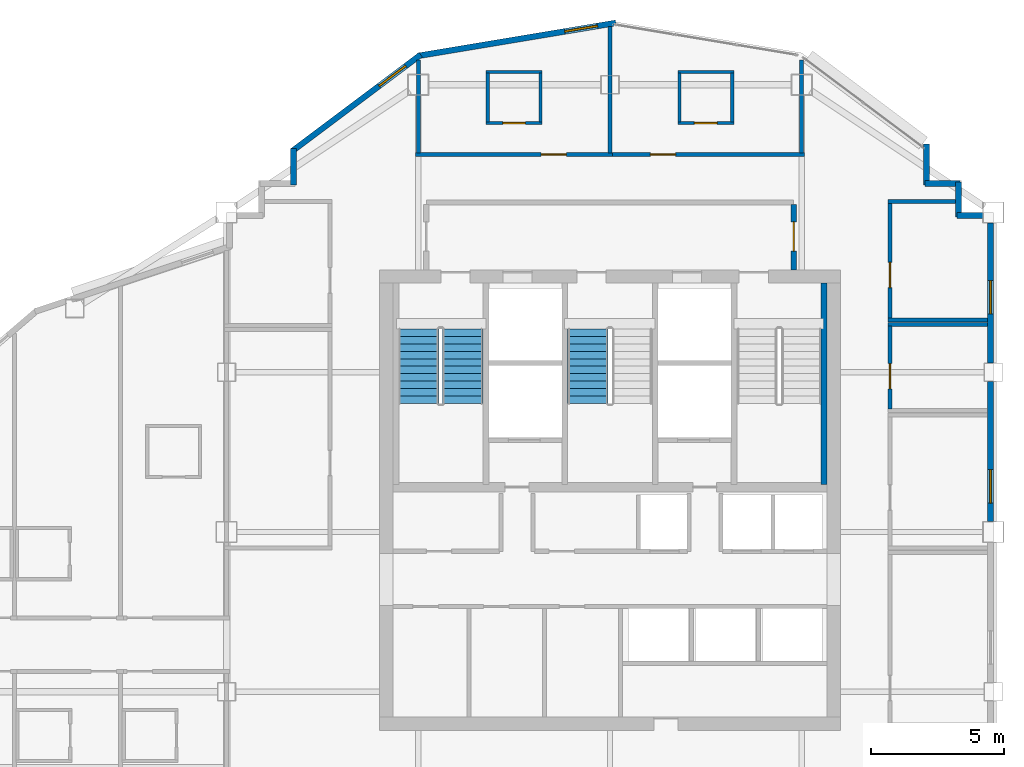
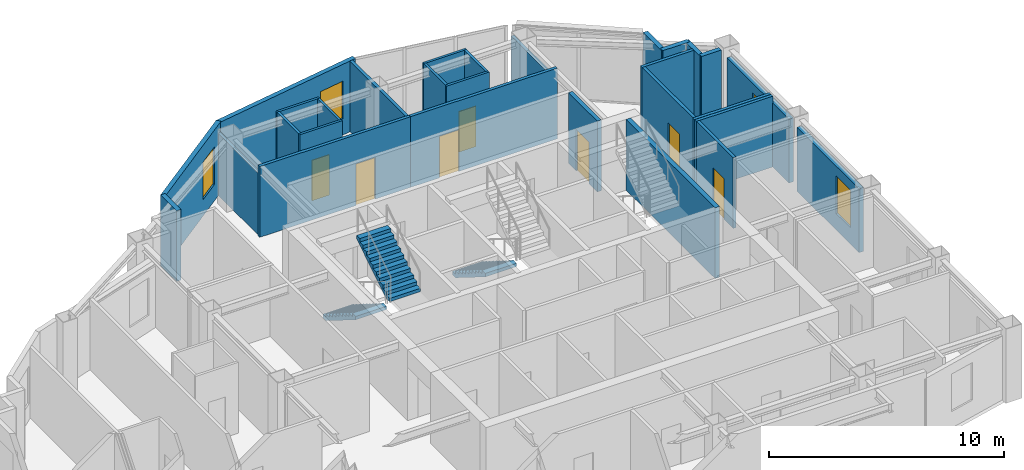
# One storey, part 8 of 11: 29 walls, 7 doors, 4 windows, 3 stair flights, 11 openings, 2 elements without a shape of their own.
"""IFC4 building model written with IfcOpenShell, lengths in metres."""

import ifcopenshell
import ifcopenshell.guid

model = None  # the IFC model being written
_history = None  # IfcOwnerHistory: only IFC2X3 demands one
_inside = {}  # id of a spatial element -> (the spatial element, [elements in it])
_under = {}  # id of a project, library or spatial element -> (it, [spatial elements below it])
_declared = {}  # id of a project -> (the project, [libraries it declares])
_typed = {}  # id of a type object -> (the type object, [elements of that type])
_made_of = {}  # id of a material, layer set ... -> (it, [elements and type objects made of it])


def new_model(schema):
    """Start an empty IFC model of exactly this schema.

    Asked for "IFC4X3", IfcOpenShell would pick the latest addendum, in which some entities
    have other attributes; the version numbers below select the first issue.
    IFC2X3 requires an IfcOwnerHistory on every rooted entity: one is made here for all.
    """
    global model, _history
    if schema == "IFC4X3":
        model = ifcopenshell.file(schema_version=(4, 3, 0, 0))
    else:
        model = ifcopenshell.file(schema=schema)
    _inside.clear()
    _under.clear()
    _declared.clear()
    _typed.clear()
    _made_of.clear()
    _history = None
    if model.schema == "IFC2X3":
        org = make("IfcOrganization", Name="unknown")
        user = make(
            "IfcPersonAndOrganization",
            ThePerson=make("IfcPerson", FamilyName="unknown"),
            TheOrganization=org,
        )
        app = make(
            "IfcApplication",
            ApplicationDeveloper=org,
            Version="unknown",
            ApplicationFullName="unknown",
            ApplicationIdentifier="unknown",
        )
        _history = make(
            "IfcOwnerHistory",
            OwningUser=user,
            OwningApplication=app,
            ChangeAction="ADDED",
            CreationDate=0,
        )
    return model


def make(cls, **values):
    """One entity of the class cls with the attributes given. An attribute that is None is left unset."""
    return model.create_entity(
        cls, **{name: value for name, value in values.items() if value is not None}
    )


def rooted(cls, **values):
    """An entity with a GlobalId (a new one), such as an element, a storey or a relation."""
    return make(cls, GlobalId=ifcopenshell.guid.new(), OwnerHistory=_history, **values)


def si_unit(unit_type, name, prefix=None):
    """IfcSIUnit, for example si_unit("LENGTHUNIT", "METRE", prefix="MILLI")."""
    return make("IfcSIUnit", UnitType=unit_type, Prefix=prefix, Name=name)


def assignment(units):
    """IfcUnitAssignment: the units of a project."""
    return None if units is None else make("IfcUnitAssignment", Units=units)


def point(xyz):
    """IfcCartesianPoint."""
    return None if xyz is None else make("IfcCartesianPoint", Coordinates=xyz)


def direction(xyz):
    """IfcDirection."""
    return None if xyz is None else make("IfcDirection", DirectionRatios=xyz)


def frame(location, z_axis=None, x_axis=None):
    """IfcAxis2Placement3D, a coordinate frame: its origin and axes. An axis left out is left unset."""
    return make(
        "IfcAxis2Placement3D",
        Location=point(location),
        Axis=direction(z_axis),
        RefDirection=direction(x_axis),
    )


def frame_2d(location, x_axis=None):
    """IfcAxis2Placement2D, a coordinate frame in the plane: its origin and x axis."""
    return make(
        "IfcAxis2Placement2D", Location=point(location), RefDirection=direction(x_axis)
    )


def origin():
    """The frame at (0, 0, 0) with its axes left unset."""
    return frame((0.0, 0.0, 0.0))


def place(relative_to, where):
    """IfcLocalPlacement: puts the frame where relative to a parent placement (None: the world)."""
    return make(
        "IfcLocalPlacement", PlacementRelTo=relative_to, RelativePlacement=where
    )


def context(
    kind, dimensions, precision=None, world=None, true_north=None, identifier=None
):
    """IfcGeometricRepresentationContext, for example the 3D "Model" context."""
    return make(
        "IfcGeometricRepresentationContext",
        ContextIdentifier=identifier,
        ContextType=kind,
        CoordinateSpaceDimension=dimensions,
        Precision=precision,
        WorldCoordinateSystem=world,
        TrueNorth=true_north,
    )


def subcontext(parent, identifier, kind, view, scale=None):
    """IfcGeometricRepresentationSubContext, for example "Body" below "Model"."""
    return make(
        "IfcGeometricRepresentationSubContext",
        ContextIdentifier=identifier,
        ContextType=kind,
        ParentContext=parent,
        TargetScale=scale,
        TargetView=view,
    )


def project(units=None, contexts=None):
    """IfcProject with its units and contexts."""
    return rooted(
        "IfcProject",
        Name="project",
        RepresentationContexts=contexts,
        UnitsInContext=assignment(units),
    )


def spatial(cls, under=None, at=None, **own):
    """A site, building, storey or space (cls), placed at a placement, below another one or the project."""
    s = rooted(cls, ObjectPlacement=at, **own)
    if under is not None:
        _under.setdefault(under.id(), (under, []))[1].append(s)
    return s


def polyline(points):
    """IfcPolyline through the points."""
    return make("IfcPolyline", Points=[point(p) for p in points])


def profile(cls, at=None, kind="AREA", **sizes):
    """A parametric profile (cls). Its sizes go by their IFC names, for example OverallWidth=200.0."""
    return make(cls, ProfileType=kind, Position=at, **sizes)


def rectangle(**sizes):
    """IfcRectangleProfileDef."""
    return profile("IfcRectangleProfileDef", **sizes)


def outline(outer, holes=None, kind="AREA"):
    """IfcArbitraryClosedProfileDef: a profile drawn as a closed curve; with holes, ...WithVoids."""
    if holes is None:
        return make("IfcArbitraryClosedProfileDef", ProfileType=kind, OuterCurve=outer)
    return make(
        "IfcArbitraryProfileDefWithVoids",
        ProfileType=kind,
        OuterCurve=outer,
        InnerCurves=holes,
    )


def extrude(swept, where, along, depth):
    """IfcExtrudedAreaSolid: the profile swept, set in the frame where, extruded along a direction by depth."""
    return make(
        "IfcExtrudedAreaSolid",
        SweptArea=swept,
        Position=where,
        ExtrudedDirection=direction(along),
        Depth=depth,
    )


def shape(context_of_items, identifier, shape_type, items):
    """IfcShapeRepresentation: the items that make up one representation, for example the "Body"."""
    return make(
        "IfcShapeRepresentation",
        ContextOfItems=context_of_items,
        RepresentationIdentifier=identifier,
        RepresentationType=shape_type,
        Items=items,
    )


def material(Name=None, Category=None):
    """IfcMaterial."""
    return make("IfcMaterial", Name=Name, Category=Category)


def layer(
    of_material, thickness, ventilated=None, Name=None, Category=None, Priority=None
):
    """IfcMaterialLayer: one layer of a wall or slab, of a material (None: an air gap)."""
    return make(
        "IfcMaterialLayer",
        Material=of_material,
        LayerThickness=thickness,
        IsVentilated=ventilated,
        Name=Name,
        Category=Category,
        Priority=Priority,
    )


def layer_set(layers, Name=None):
    """IfcMaterialLayerSet."""
    return make("IfcMaterialLayerSet", MaterialLayers=layers, LayerSetName=Name)


def made_of(thing, what):
    """Note that an element or type object is made of a material, layer set ...; save() writes the relation."""
    if what is not None:
        _made_of.setdefault(what.id(), (what, []))[1].append(thing)
    return thing


def type_object(cls, material=None, **own):
    """A type object (cls), such as IfcWallType, which elements share."""
    return made_of(rooted(cls, **own), material)


def element(
    cls,
    number,
    at=None,
    inside=None,
    cuts=None,
    type_object=None,
    material=None,
    context=None,
    identifier="Body",
    shape_type=None,
    held_by="IfcProductDefinitionShape",
    body=None,
    shapes=None,
    **own,
):
    """One element of the class cls, such as IfcWall. Its Tag is "e" and its number.

    at: its placement. inside: the storey or other place that contains it. cuts: it is an
    opening in that element (IfcRelVoidsElement). A single representation is given by context,
    identifier, shape_type and body (its items); several are given by shapes. held_by: the class
    of the entity that holds the representations. save() writes the other relations.
    """
    e = rooted(cls, Tag="e%d" % number, ObjectPlacement=at, **own)
    if body is not None:
        shapes = [shape(context, identifier, shape_type, body)]
    if shapes is not None:
        e.Representation = make(held_by, Representations=shapes)
    if inside is not None:
        _inside.setdefault(inside.id(), (inside, []))[1].append(e)
    if cuts is not None:
        rooted(
            "IfcRelVoidsElement", RelatingBuildingElement=cuts, RelatedOpeningElement=e
        )
    if type_object is not None:
        _typed.setdefault(type_object.id(), (type_object, []))[1].append(e)
    return made_of(e, material)


def fill(opening, filler):
    """IfcRelFillsElement: the door or window that sits in an opening."""
    return rooted(
        "IfcRelFillsElement",
        RelatingOpeningElement=opening,
        RelatedBuildingElement=filler,
    )


def aggregate(whole, parts):
    """IfcRelAggregates: a whole, such as a stair, and the parts it consists of."""
    return rooted("IfcRelAggregates", RelatingObject=whole, RelatedObjects=parts)


def save(model, path):
    """Write the relations noted so far, then the file.

    IfcRelAggregates (storeys below a building ...), IfcRelContainedInSpatialStructure (elements
    in a storey), IfcRelDefinesByType, IfcRelAssociatesMaterial and IfcRelDeclares: one each for
    every whole, place, type object, material and project.
    """
    for whole, parts in _under.values():
        aggregate(whole, parts)
    for where, things in _inside.values():
        rooted(
            "IfcRelContainedInSpatialStructure",
            RelatedElements=things,
            RelatingStructure=where,
        )
    for kind, things in _typed.values():
        rooted("IfcRelDefinesByType", RelatedObjects=things, RelatingType=kind)
    for what, things in _made_of.values():
        rooted("IfcRelAssociatesMaterial", RelatedObjects=things, RelatingMaterial=what)
    for by, libraries in _declared.values():
        rooted("IfcRelDeclares", RelatingContext=by, RelatedDefinitions=libraries)
    model.write(path)


model = new_model("IFC4")

# Units and contexts
model_context = context("Model", 3, precision=1e-05, world=origin(), true_north=direction((0.0, 1.0)))
body_context = subcontext(model_context, "Body", "Model", "MODEL_VIEW")
ifc_project = project(units=[si_unit("LENGTHUNIT", "METRE"), si_unit("AREAUNIT", "SQUARE_METRE"), si_unit("VOLUMEUNIT", "CUBIC_METRE"), si_unit("PLANEANGLEUNIT", "RADIAN"), si_unit("MASSUNIT", "GRAM", prefix="KILO")], contexts=[model_context])

# Site, building, storey
site_placement = place(None, origin())
site = spatial("IfcSite", under=ifc_project, at=site_placement, CompositionType="ELEMENT")
building_placement = place(site_placement, origin())
building = spatial("IfcBuilding", under=site, at=building_placement, Name="Haolan Belvedere Tower", CompositionType="ELEMENT")
storey_placement = place(building_placement, frame((0.0, 0.0, 254.449951171875)))
storey = spatial("IfcBuildingStorey", under=building, at=storey_placement, Name="L64", CompositionType="ELEMENT", Elevation=254.449951171875)

# Wall, opening, window
ifc_material_1 = material(Name="Precast concrete C40/50", Category="concrete")
ifc_layer_1 = layer(ifc_material_1, 0.219970703125, Name="Precast concrete C40/50")
ifc_layer_set_1 = layer_set([ifc_layer_1], Name="Precast concrete C40/50")
wall_type_1 = type_object("IfcWallType", Name="WL-EXT-220", PredefinedType="SOLIDWALL", material=ifc_layer_set_1)
wall_1_placement = place(storey_placement, frame((52.68994140625, 33.991943359375, 0.0), z_axis=(0.0, 0.0, 1.0), x_axis=(0.0, 1.0, 0.0)))
wall_1 = element("IfcWall", 1, at=wall_1_placement, inside=storey, type_object=wall_type_1, Name="L64 pale-metal exterior spandrel wall 3.3", PredefinedType="SOLIDWALL", context=body_context, shape_type="SweptSolid", body=[
    extrude(rectangle(XDim=5.26611328125, YDim=0.219970703125, at=frame_2d((2.633056640625, 0.0))), origin(), (0.0, 0.0, 1.0), 3.31494140625),
])
opening_1_placement = place(wall_1_placement, frame((0.699951171875, 0.0, 0.85009765625)))
opening_1 = element("IfcOpeningElement", 2, at=opening_1_placement, cuts=wall_1, Name="Opening W-04", PredefinedType="OPENING", context=body_context, shape_type="SweptSolid", body=[
    extrude(rectangle(XDim=1.25, YDim=1.949951171875, at=frame_2d((0.625, 0.97509765625))), frame((0.0, 0.119873046875, 0.0), z_axis=(0.0, -1.0, 0.0), x_axis=(1.0, 0.0, 0.0)), (0.0, 0.0, 1.0), 0.239990234375),
])
ifc_material_2 = material(Name="Anodised aluminium 6063-T6 and Low-E glass", Category="aluminium")
window_type = type_object("IfcWindowType", Name="WN-DECO-Z4", PartitioningType="SINGLE_PANEL", PredefinedType="WINDOW", material=ifc_material_2)
window_1_placement = place(opening_1_placement, origin())
window_1 = element("IfcWindow", 3, at=window_1_placement, inside=storey, type_object=window_type, Name="L64 Art Deco chevron window 1", OverallHeight=1.949951171875, OverallWidth=1.25, PartitioningType="SINGLE_PANEL", PredefinedType="WINDOW", context=body_context, shape_type="SweptSolid", body=[
    extrude(rectangle(XDim=1.25, YDim=1.949951171875, at=frame_2d((0.625, 0.97509765625))), frame((0.0, 0.030029296875, 0.0), z_axis=(0.0, -1.0, 0.0), x_axis=(1.0, 0.0, 0.0)), (0.0, 0.0, 1.0), 0.06005859375),
])
fill(opening_1, window_1)

wall_2_placement = place(storey_placement, frame((52.68994140625, 39.94189453125, 0.0), z_axis=(0.0, 0.0, 1.0), x_axis=(0.0, 1.0, 0.0)))
wall_2 = element("IfcWall", 4, at=wall_2_placement, inside=storey, type_object=wall_type_1, Name="L64 pale-metal exterior spandrel wall 3.4", PredefinedType="SOLIDWALL", context=body_context, shape_type="SweptSolid", body=[
    extrude(rectangle(XDim=5.26611328125, YDim=0.219970703125, at=frame_2d((2.633056640625, 0.0))), origin(), (0.0, 0.0, 1.0), 3.31494140625),
])
opening_2_placement = place(wall_2_placement, frame((1.85302734375, 0.0, 0.85009765625)))
opening_2 = element("IfcOpeningElement", 5, at=opening_2_placement, cuts=wall_2, Name="Opening W-04", PredefinedType="OPENING", context=body_context, shape_type="SweptSolid", body=[
    extrude(rectangle(XDim=1.25, YDim=1.949951171875, at=frame_2d((0.625, 0.97509765625))), frame((0.0, 0.119873046875, 0.0), z_axis=(0.0, -1.0, 0.0), x_axis=(1.0, 0.0, 0.0)), (0.0, 0.0, 1.0), 0.239990234375),
])
window_2_placement = place(opening_2_placement, origin())
window_2 = element("IfcWindow", 6, at=window_2_placement, inside=storey, type_object=window_type, Name="L64 Art Deco chevron window 1", OverallHeight=1.949951171875, OverallWidth=1.25, PartitioningType="SINGLE_PANEL", PredefinedType="WINDOW", context=body_context, shape_type="SweptSolid", body=[
    extrude(rectangle(XDim=1.25, YDim=1.949951171875, at=frame_2d((0.625, 0.97509765625))), frame((0.0, 0.030029296875, 0.0), z_axis=(0.0, -1.0, 0.0), x_axis=(1.0, 0.0, 0.0)), (0.0, 0.0, 1.0), 0.06005859375),
])
fill(opening_2, window_2)

# Walls
wall_3_placement = place(storey_placement, frame((52.407958984375, 45.489990234375, 0.0), z_axis=(0.0, 0.0, 1.0), x_axis=(-1.0, 0.0, 0.0)))
element("IfcWall", 7, at=wall_3_placement, inside=storey, type_object=wall_type_1, Name="L64 pale-metal exterior spandrel wall 4.1", PredefinedType="SOLIDWALL", context=body_context, shape_type="SweptSolid", body=[
    extrude(rectangle(XDim=0.972900390625, YDim=0.219970703125, at=frame_2d((0.486328125, 0.0))), origin(), (0.0, 0.0, 1.0), 3.670166015625),
])
wall_4_placement = place(storey_placement, frame((51.489990234375, 45.43505859375, 0.0), z_axis=(0.0, 0.0, 1.0), x_axis=(0.0, 1.0, 0.0)))
element("IfcWall", 8, at=wall_4_placement, inside=storey, type_object=wall_type_1, Name="L64 pale-metal exterior spandrel wall 5.1", PredefinedType="SOLIDWALL", context=body_context, shape_type="SweptSolid", body=[
    extrude(rectangle(XDim=1.31005859375, YDim=0.219970703125, at=frame_2d((0.655029296875, 0.0))), origin(), (0.0, 0.0, 1.0), 3.670166015625),
])
wall_5_placement = place(storey_placement, frame((51.544921875, 46.68994140625, 0.0), z_axis=(0.0, 0.0, 1.0), x_axis=(-1.0, 0.0, 0.0)))
element("IfcWall", 9, at=wall_5_placement, inside=storey, type_object=wall_type_1, Name="L64 pale-metal exterior spandrel wall 6.1", PredefinedType="SOLIDWALL", context=body_context, shape_type="SweptSolid", body=[
    extrude(rectangle(XDim=1.309814453125, YDim=0.219970703125, at=frame_2d((0.65478515625, 0.0))), origin(), (0.0, 0.0, 1.0), 3.670166015625),
])
wall_6_placement = place(storey_placement, frame((50.2900390625, 46.635009765625, 0.0), z_axis=(0.0, 0.0, 1.0), x_axis=(0.0, 1.0, 0.0)))
element("IfcWall", 10, at=wall_6_placement, inside=storey, type_object=wall_type_1, Name="L64 pale-metal exterior spandrel wall 7.1", PredefinedType="SOLIDWALL", context=body_context, shape_type="SweptSolid", body=[
    extrude(rectangle(XDim=1.534912109375, YDim=0.219970703125, at=frame_2d((0.767578125, 0.0))), origin(), (0.0, 0.0, 1.0), 3.670166015625),
])

# Wall, opening, window
wall_7_placement = place(storey_placement, frame((38.621826171875, 52.7255859375, 0.0), z_axis=(0.0, 0.0, 1.0), x_axis=(-0.986390420428, -0.164420006349, 0.0)))
wall_7 = element("IfcWall", 11, at=wall_7_placement, inside=storey, type_object=wall_type_1, Name="L64 pale-metal exterior spandrel wall 10.1", PredefinedType="SOLIDWALL", context=body_context, shape_type="SweptSolid", body=[
    extrude(rectangle(XDim=7.5341796875, YDim=0.219970703125, at=frame_2d((3.76708984375, 0.0))), origin(), (0.0, 0.0, 1.0), 3.670166015625),
])
opening_3_placement = place(wall_7_placement, frame((0.699951171875, 0.0, 0.85009765625)))
opening_3 = element("IfcOpeningElement", 12, at=opening_3_placement, cuts=wall_7, Name="Opening W-04", PredefinedType="OPENING", context=body_context, shape_type="SweptSolid", body=[
    extrude(rectangle(XDim=1.25, YDim=1.949951171875, at=frame_2d((0.625, 0.97509765625))), frame((0.0, 0.119873046875, 0.0), z_axis=(0.0, -1.0, 0.0), x_axis=(1.0, 0.0, 0.0)), (0.0, 0.0, 1.0), 0.239990234375),
])
window_3_placement = place(opening_3_placement, origin())
window_3 = element("IfcWindow", 13, at=window_3_placement, inside=storey, type_object=window_type, Name="L64 Art Deco chevron window 1", OverallHeight=1.949951171875, OverallWidth=1.25, PartitioningType="SINGLE_PANEL", PredefinedType="WINDOW", context=body_context, shape_type="SweptSolid", body=[
    extrude(rectangle(XDim=1.25, YDim=1.949951171875, at=frame_2d((0.625, 0.97509765625))), frame((0.0, 0.030029296875, 0.0), z_axis=(0.0, -1.0, 0.0), x_axis=(1.0, 0.0, 0.0)), (0.0, 0.0, 1.0), 0.06005859375),
])
fill(opening_3, window_3)

wall_8_placement = place(storey_placement, frame((31.28857421875, 51.52880859375, 0.0), z_axis=(0.0, 0.0, 1.0), x_axis=(-0.800014580093, -0.599980559383, 0.0)))
wall_8 = element("IfcWall", 14, at=wall_8_placement, inside=storey, type_object=wall_type_1, Name="L64 pale-metal exterior spandrel wall 11.1", PredefinedType="SOLIDWALL", context=body_context, shape_type="SweptSolid", body=[
    extrude(rectangle(XDim=6.028076171875, YDim=0.219970703125, at=frame_2d((3.01416015625, 0.0))), origin(), (0.0, 0.0, 1.0), 3.670166015625),
])
opening_4_placement = place(wall_8_placement, frame((0.699951171875, 0.0, 0.85009765625)))
opening_4 = element("IfcOpeningElement", 15, at=opening_4_placement, cuts=wall_8, Name="Opening W-04", PredefinedType="OPENING", context=body_context, shape_type="SweptSolid", body=[
    extrude(rectangle(XDim=1.25, YDim=1.949951171875, at=frame_2d((0.625, 0.97509765625))), frame((0.0, 0.119873046875, 0.0), z_axis=(0.0, -1.0, 0.0), x_axis=(1.0, 0.0, 0.0)), (0.0, 0.0, 1.0), 0.239990234375),
])
window_4_placement = place(opening_4_placement, origin())
window_4 = element("IfcWindow", 16, at=window_4_placement, inside=storey, type_object=window_type, Name="L64 Art Deco chevron window 1", OverallHeight=1.949951171875, OverallWidth=1.25, PartitioningType="SINGLE_PANEL", PredefinedType="WINDOW", context=body_context, shape_type="SweptSolid", body=[
    extrude(rectangle(XDim=1.25, YDim=1.949951171875, at=frame_2d((0.625, 0.97509765625))), frame((0.0, 0.030029296875, 0.0), z_axis=(0.0, -1.0, 0.0), x_axis=(1.0, 0.0, 0.0)), (0.0, 0.0, 1.0), 0.06005859375),
])
fill(opening_4, window_4)

# Wall
wall_9_placement = place(storey_placement, frame((26.510009765625, 48.0, 0.0), z_axis=(0.0, 0.0, 1.0), x_axis=(0.0, -1.0, 0.0)))
element("IfcWall", 17, at=wall_9_placement, inside=storey, type_object=wall_type_1, Name="L64 pale-metal exterior spandrel wall 12.1", PredefinedType="SOLIDWALL", context=body_context, shape_type="SweptSolid", body=[
    extrude(rectangle(XDim=1.364990234375, YDim=0.219970703125, at=frame_2d((0.6826171875, 0.0))), origin(), (0.0, 0.0, 1.0), 3.670166015625),
])

# Wall, opening, door
ifc_material_3 = material(Name="Concrete C40/50", Category="concrete")
ifc_layer_2 = layer(ifc_material_3, 0.199951171875, Name="Concrete C40/50")
ifc_layer_set_2 = layer_set([ifc_layer_2], Name="Concrete C40/50")
wall_type_2 = type_object("IfcWallType", Name="WL-FIRE-200", PredefinedType="SOLIDWALL", material=ifc_layer_set_2)
wall_10_placement = place(storey_placement, frame((45.300048828125, 43.449951171875, 0.0), z_axis=(0.0, 0.0, 1.0), x_axis=(0.0, 1.0, 0.0)))
wall_10 = element("IfcWall", 18, at=wall_10_placement, inside=storey, type_object=wall_type_2, Name="L64 interior partition IW-L64-FFL-E", PredefinedType="SOLIDWALL", context=body_context, shape_type="SweptSolid", body=[
    extrude(rectangle(XDim=2.445068359375, YDim=0.199951171875, at=frame_2d((1.22265625, 0.0))), origin(), (0.0, 0.0, 1.0), 3.670166015625),
])
opening_5_placement = place(wall_10_placement, frame((0.699951171875, 0.0, 0.0)))
opening_5 = element("IfcOpeningElement", 19, at=opening_5_placement, cuts=wall_10, Name="Opening FD-03", PredefinedType="OPENING", context=body_context, shape_type="SweptSolid", body=[
    extrude(rectangle(XDim=1.10009765625, YDim=2.14990234375, at=frame_2d((0.550048828125, 1.074951171875))), frame((0.0, 0.10986328125, 0.0), z_axis=(0.0, -1.0, 0.0), x_axis=(1.0, 0.0, 0.0)), (0.0, 0.0, 1.0), 0.219970703125),
])
ifc_material_4 = material(Name="Galvanised fire-rated steel", Category="steel")
door_type_1 = type_object("IfcDoorType", Name="DR-FD90-1100", OperationType="NOTDEFINED", PredefinedType="DOOR", material=ifc_material_4)
door_1_placement = place(opening_5_placement, origin())
door_1 = element("IfcDoor", 20, at=door_1_placement, inside=storey, type_object=door_type_1, Name="L64 door ID-L64-FFL-DE", OperationType="SINGLE_SWING_RIGHT", OverallHeight=2.14990234375, OverallWidth=1.10009765625, PredefinedType="DOOR", context=body_context, shape_type="SweptSolid", body=[
    extrude(rectangle(XDim=1.10009765625, YDim=2.14990234375, at=frame_2d((0.550048828125, 1.074951171875))), frame((0.0, 0.02490234375, 0.0), z_axis=(0.0, -1.0, 0.0), x_axis=(1.0, 0.0, 0.0)), (0.0, 0.0, 1.0), 0.050048828125),
])
fill(opening_5, door_1)

# Wall
ifc_material_5 = material(Name="Double gypsum acoustic stud partition", Category="masonry")
ifc_layer_3 = layer(ifc_material_5, 0.14990234375, Name="Double gypsum acoustic stud partition")
ifc_layer_set_3 = layer_set([ifc_layer_3], Name="Double gypsum acoustic stud partition")
wall_type_3 = type_object("IfcWallType", Name="WL-PART-150", PredefinedType="PARTITIONING", material=ifc_layer_set_3)
wall_11_placement = place(storey_placement, frame((48.840087890625, 41.39990234375, 0.0), z_axis=(0.0, 0.0, 1.0), x_axis=(1.0, 0.0, 0.0)))
element("IfcWall", 21, at=wall_11_placement, inside=storey, type_object=wall_type_3, Name="L64 interior partition IW-L64-AWC-N", PredefinedType="PARTITIONING", context=body_context, shape_type="SweptSolid", body=[
    extrude(rectangle(XDim=3.747802734375, YDim=0.14990234375, at=frame_2d((1.8740234375, 0.0))), origin(), (0.0, 0.0, 1.0), 3.670166015625),
])

# Wall, opening, door
wall_12_placement = place(storey_placement, frame((48.919921875, 38.219970703125, 0.0), z_axis=(0.0, 0.0, 1.0), x_axis=(0.0, 1.0, 0.0)))
wall_12 = element("IfcWall", 22, at=wall_12_placement, inside=storey, type_object=wall_type_3, Name="L64 interior partition IW-L64-AWC-W", PredefinedType="PARTITIONING", context=body_context, shape_type="SweptSolid", body=[
    extrude(rectangle(XDim=3.1201171875, YDim=0.14990234375, at=frame_2d((1.56005859375, 0.0))), origin(), (0.0, 0.0, 1.0), 3.670166015625),
])
opening_6_placement = place(wall_12_placement, frame((0.760009765625, 0.0, 0.0)))
opening_6 = element("IfcOpeningElement", 23, at=opening_6_placement, cuts=wall_12, Name="Opening ID-03", PredefinedType="OPENING", context=body_context, shape_type="SweptSolid", body=[
    extrude(rectangle(XDim=0.949951171875, YDim=2.1201171875, at=frame_2d((0.47509765625, 1.06005859375))), frame((0.0, 0.0849609375, 0.0), z_axis=(0.0, -1.0, 0.0), x_axis=(1.0, 0.0, 0.0)), (0.0, 0.0, 1.0), 0.169921875),
])
ifc_material_6 = material(Name="Painted solid-core timber", Category="wood")
door_type_2 = type_object("IfcDoorType", Name="DR-INT-950", OperationType="NOTDEFINED", PredefinedType="DOOR", material=ifc_material_6)
door_2_placement = place(opening_6_placement, origin())
door_2 = element("IfcDoor", 24, at=door_2_placement, inside=storey, type_object=door_type_2, Name="L64 door ID-L64-AWC", OperationType="SINGLE_SWING_LEFT", OverallHeight=2.1201171875, OverallWidth=0.949951171875, PredefinedType="DOOR", context=body_context, shape_type="SweptSolid", body=[
    extrude(rectangle(XDim=0.949951171875, YDim=2.1201171875, at=frame_2d((0.47509765625, 1.06005859375))), frame((0.0, 0.02490234375, 0.0), z_axis=(0.0, -1.0, 0.0), x_axis=(1.0, 0.0, 0.0)), (0.0, 0.0, 1.0), 0.050048828125),
])
fill(opening_6, door_2)

# Walls
wall_13_placement = place(storey_placement, frame((48.840087890625, 46.02001953125, 0.0), z_axis=(0.0, 0.0, 1.0), x_axis=(1.0, 0.0, 0.0)))
element("IfcWall", 25, at=wall_13_placement, inside=storey, type_object=wall_type_3, Name="L64 interior partition IW-L64-CLN-N", PredefinedType="PARTITIONING", context=body_context, shape_type="SweptSolid", body=[
    extrude(rectangle(XDim=2.5478515625, YDim=0.14990234375, at=frame_2d((1.27392578125, 0.0))), origin(), (0.0, 0.0, 1.0), 3.670166015625),
])
wall_14_placement = place(storey_placement, frame((48.840087890625, 41.56005859375, 0.0), z_axis=(0.0, 0.0, 1.0), x_axis=(1.0, 0.0, 0.0)))
element("IfcWall", 26, at=wall_14_placement, inside=storey, type_object=wall_type_3, Name="L64 interior partition IW-L64-CLN-S", PredefinedType="PARTITIONING", context=body_context, shape_type="SweptSolid", body=[
    extrude(rectangle(XDim=3.747802734375, YDim=0.14990234375, at=frame_2d((1.8740234375, 0.0))), origin(), (0.0, 0.0, 1.0), 3.670166015625),
])

# Wall, opening, door
wall_15_placement = place(storey_placement, frame((48.919921875, 41.6201171875, 0.0), z_axis=(0.0, 0.0, 1.0), x_axis=(0.0, 1.0, 0.0)))
wall_15 = element("IfcWall", 27, at=wall_15_placement, inside=storey, type_object=wall_type_3, Name="L64 interior partition IW-L64-CLN-W", PredefinedType="PARTITIONING", context=body_context, shape_type="SweptSolid", body=[
    extrude(rectangle(XDim=4.33984375, YDim=0.14990234375, at=frame_2d((2.169921875, 0.0))), origin(), (0.0, 0.0, 1.0), 3.670166015625),
])
opening_7_placement = place(wall_15_placement, frame((1.159912109375, 0.0, 0.0)))
opening_7 = element("IfcOpeningElement", 28, at=opening_7_placement, cuts=wall_15, Name="Opening ID-03", PredefinedType="OPENING", context=body_context, shape_type="SweptSolid", body=[
    extrude(rectangle(XDim=0.949951171875, YDim=2.1201171875, at=frame_2d((0.47509765625, 1.06005859375))), frame((0.0, 0.0849609375, 0.0), z_axis=(0.0, -1.0, 0.0), x_axis=(1.0, 0.0, 0.0)), (0.0, 0.0, 1.0), 0.169921875),
])
door_3_placement = place(opening_7_placement, origin())
door_3 = element("IfcDoor", 29, at=door_3_placement, inside=storey, type_object=door_type_2, Name="L64 door ID-L64-CLN", OperationType="SINGLE_SWING_RIGHT", OverallHeight=2.1201171875, OverallWidth=0.949951171875, PredefinedType="DOOR", context=body_context, shape_type="SweptSolid", body=[
    extrude(rectangle(XDim=0.949951171875, YDim=2.1201171875, at=frame_2d((0.47509765625, 1.06005859375))), frame((0.0, 0.02490234375, 0.0), z_axis=(0.0, -1.0, 0.0), x_axis=(1.0, 0.0, 0.0)), (0.0, 0.0, 1.0), 0.050048828125),
])
fill(opening_7, door_3)

wall_16_placement = place(storey_placement, frame((31.10009765625, 47.780029296875, 0.0), z_axis=(0.0, 0.0, 1.0), x_axis=(1.0, 0.0, 0.0)))
wall_16 = element("IfcWall", 30, at=wall_16_placement, inside=storey, type_object=wall_type_3, Name="L64 interior partition IW-L64-KN2-S", PredefinedType="PARTITIONING", context=body_context, shape_type="SweptSolid", body=[
    extrude(rectangle(XDim=7.39990234375, YDim=0.14990234375, at=frame_2d((3.699951171875, 0.0))), origin(), (0.0, 0.0, 1.0), 3.670166015625),
])
opening_8_placement = place(wall_16_placement, frame((4.713623046875, 0.0, 0.0)))
opening_8 = element("IfcOpeningElement", 31, at=opening_8_placement, cuts=wall_16, Name="Opening ID-02", PredefinedType="OPENING", context=body_context, shape_type="SweptSolid", body=[
    extrude(rectangle(XDim=0.949951171875, YDim=2.14990234375, at=frame_2d((0.47509765625, 1.074951171875))), frame((0.0, 0.0849609375, 0.0), z_axis=(0.0, -1.0, 0.0), x_axis=(1.0, 0.0, 0.0)), (0.0, 0.0, 1.0), 0.169921875),
])
ifc_material_7 = material(Name="Acoustic oak veneer fire-rated timber", Category="wood")
door_type_3 = type_object("IfcDoorType", Name="DR-GUEST-950", OperationType="NOTDEFINED", PredefinedType="DOOR", material=ifc_material_7)
door_4_placement = place(opening_8_placement, origin())
door_4 = element("IfcDoor", 32, at=door_4_placement, inside=storey, type_object=door_type_3, Name="L64 door ID-L64-KN2-ENT", OperationType="SINGLE_SWING_RIGHT", OverallHeight=2.14990234375, OverallWidth=0.949951171875, PredefinedType="DOOR", context=body_context, shape_type="SweptSolid", body=[
    extrude(rectangle(XDim=0.949951171875, YDim=2.14990234375, at=frame_2d((0.47509765625, 1.074951171875))), frame((0.0, 0.02490234375, 0.0), z_axis=(0.0, -1.0, 0.0), x_axis=(1.0, 0.0, 0.0)), (0.0, 0.0, 1.0), 0.050048828125),
])
fill(opening_8, door_4)

# Walls
wall_17_placement = place(storey_placement, frame((31.199951171875, 47.840087890625, 0.0), z_axis=(0.0, 0.0, 1.0), x_axis=(0.0, 1.0, 0.0)))
element("IfcWall", 33, at=wall_17_placement, inside=storey, type_object=wall_type_3, Name="L64 interior partition IW-L64-KN2-W", PredefinedType="PARTITIONING", context=body_context, shape_type="SweptSolid", body=[
    extrude(rectangle(XDim=3.494873046875, YDim=0.14990234375, at=frame_2d((1.74755859375, 0.0))), origin(), (0.0, 0.0, 1.0), 3.205078125),
])
wall_18_placement = place(storey_placement, frame((38.39990234375, 47.840087890625, 0.0), z_axis=(0.0, 0.0, 1.0), x_axis=(0.0, 1.0, 0.0)))
element("IfcWall", 34, at=wall_18_placement, inside=storey, type_object=wall_type_3, Name="L64 interior partition IW-L64-KN2-E", PredefinedType="PARTITIONING", context=body_context, shape_type="SweptSolid", body=[
    extrude(rectangle(XDim=4.7451171875, YDim=0.14990234375, at=frame_2d((2.37255859375, 0.0))), origin(), (0.0, 0.0, 1.0), 3.670166015625),
])

# Wall, opening, door
wall_19_placement = place(storey_placement, frame((38.501953125, 47.780029296875, 0.0), z_axis=(0.0, 0.0, 1.0), x_axis=(1.0, 0.0, 0.0)))
wall_19 = element("IfcWall", 35, at=wall_19_placement, inside=storey, type_object=wall_type_3, Name="L64 interior partition IW-L64-KN3-S", PredefinedType="PARTITIONING", context=body_context, shape_type="SweptSolid", body=[
    extrude(rectangle(XDim=7.197998046875, YDim=0.14990234375, at=frame_2d((3.59912109375, 0.0))), origin(), (0.0, 0.0, 1.0), 3.670166015625),
])
opening_9_placement = place(wall_19_placement, frame((1.41748046875, 0.0, 0.0)))
opening_9 = element("IfcOpeningElement", 36, at=opening_9_placement, cuts=wall_19, Name="Opening ID-02", PredefinedType="OPENING", context=body_context, shape_type="SweptSolid", body=[
    extrude(rectangle(XDim=0.949951171875, YDim=2.14990234375, at=frame_2d((0.47509765625, 1.074951171875))), frame((0.0, 0.0849609375, 0.0), z_axis=(0.0, -1.0, 0.0), x_axis=(1.0, 0.0, 0.0)), (0.0, 0.0, 1.0), 0.169921875),
])
door_5_placement = place(opening_9_placement, origin())
door_5 = element("IfcDoor", 37, at=door_5_placement, inside=storey, type_object=door_type_3, Name="L64 door ID-L64-KN3-ENT", OperationType="SINGLE_SWING_LEFT", OverallHeight=2.14990234375, OverallWidth=0.949951171875, PredefinedType="DOOR", context=body_context, shape_type="SweptSolid", body=[
    extrude(rectangle(XDim=0.949951171875, YDim=2.14990234375, at=frame_2d((0.47509765625, 1.074951171875))), frame((0.0, 0.02490234375, 0.0), z_axis=(0.0, -1.0, 0.0), x_axis=(1.0, 0.0, 0.0)), (0.0, 0.0, 1.0), 0.050048828125),
])
fill(opening_9, door_5)

# Walls
wall_20_placement = place(storey_placement, frame((45.60009765625, 47.840087890625, 0.0), z_axis=(0.0, 0.0, 1.0), x_axis=(0.0, 1.0, 0.0)))
element("IfcWall", 38, at=wall_20_placement, inside=storey, type_object=wall_type_3, Name="L64 interior partition IW-L64-KN3-E", PredefinedType="PARTITIONING", context=body_context, shape_type="SweptSolid", body=[
    extrude(rectangle(XDim=3.494873046875, YDim=0.14990234375, at=frame_2d((1.74755859375, 0.0))), origin(), (0.0, 0.0, 1.0), 3.205078125),
])
ifc_material_8 = material(Name="Concrete C50/60", Category="concrete")
ifc_layer_4 = layer(ifc_material_8, 0.219970703125, Name="Concrete C50/60")
ifc_layer_set_4 = layer_set([ifc_layer_4], Name="Concrete C50/60")
wall_type_4 = type_object("IfcWallType", Name="WL-STAIR-220", PredefinedType="SHEAR", material=ifc_layer_set_4)
wall_21_placement = place(storey_placement, frame((46.43798828125, 35.389892578125, 0.0), z_axis=(0.0, 0.0, 1.0), x_axis=(0.0, 1.0, 0.0)))
element("IfcWall", 39, at=wall_21_placement, inside=storey, type_object=wall_type_4, Name="L64 structural stair core wall ST2E", PredefinedType="SHEAR", context=body_context, shape_type="SweptSolid", body=[
    extrude(rectangle(XDim=7.56005859375, YDim=0.219970703125, at=frame_2d((3.780029296875, 0.0))), origin(), (0.0, 0.0, 1.0), 3.670166015625),
])
ifc_material_9 = material(Name="Moisture-resistant gypsum tile partition", Category="masonry")
ifc_layer_5 = layer(ifc_material_9, 0.1201171875, Name="Moisture-resistant gypsum tile partition")
ifc_layer_set_5 = layer_set([ifc_layer_5], Name="Moisture-resistant gypsum tile partition")
wall_type_5 = type_object("IfcWallType", Name="WL-WET-120", PredefinedType="PARTITIONING", material=ifc_layer_set_5)
wall_22_placement = place(storey_placement, frame((33.75, 50.8798828125, 0.0), z_axis=(0.0, 0.0, 1.0), x_axis=(1.0, 0.0, 0.0)))
element("IfcWall", 40, at=wall_22_placement, inside=storey, type_object=wall_type_5, Name="L64 interior partition IW-L64-KN2-BN", PredefinedType="PARTITIONING", context=body_context, shape_type="SweptSolid", body=[
    extrude(rectangle(XDim=2.10009765625, YDim=0.1201171875, at=frame_2d((1.050048828125, 0.0))), origin(), (0.0, 0.0, 1.0), 3.670166015625),
])

# Wall, opening, door
wall_23_placement = place(storey_placement, frame((33.75, 48.9599609375, 0.0), z_axis=(0.0, 0.0, 1.0), x_axis=(1.0, 0.0, 0.0)))
wall_23 = element("IfcWall", 41, at=wall_23_placement, inside=storey, type_object=wall_type_5, Name="L64 interior partition IW-L64-KN2-BS", PredefinedType="PARTITIONING", context=body_context, shape_type="SweptSolid", body=[
    extrude(rectangle(XDim=2.10009765625, YDim=0.1201171875, at=frame_2d((1.050048828125, 0.0))), origin(), (0.0, 0.0, 1.0), 3.670166015625),
])
opening_10_placement = place(wall_23_placement, frame((0.625, 0.0, 0.0)))
opening_10 = element("IfcOpeningElement", 42, at=opening_10_placement, cuts=wall_23, Name="Opening ID-05", PredefinedType="OPENING", context=body_context, shape_type="SweptSolid", body=[
    extrude(rectangle(XDim=0.85009765625, YDim=2.10009765625, at=frame_2d((0.425048828125, 1.050048828125))), frame((0.0, 0.070068359375, 0.0), z_axis=(0.0, -1.0, 0.0), x_axis=(1.0, 0.0, 0.0)), (0.0, 0.0, 1.0), 0.14013671875),
])
ifc_material_10 = material(Name="Moisture-resistant lacquered timber", Category="wood")
door_type_4 = type_object("IfcDoorType", Name="DR-BATH-850", OperationType="NOTDEFINED", PredefinedType="DOOR", material=ifc_material_10)
door_6_placement = place(opening_10_placement, origin())
door_6 = element("IfcDoor", 43, at=door_6_placement, inside=storey, type_object=door_type_4, Name="L64 door ID-L64-KN2-BATH", OperationType="SINGLE_SWING_LEFT", OverallHeight=2.10009765625, OverallWidth=0.85009765625, PredefinedType="DOOR", context=body_context, shape_type="SweptSolid", body=[
    extrude(rectangle(XDim=0.85009765625, YDim=2.10009765625, at=frame_2d((0.425048828125, 1.050048828125))), frame((0.0, 0.02490234375, 0.0), z_axis=(0.0, -1.0, 0.0), x_axis=(1.0, 0.0, 0.0)), (0.0, 0.0, 1.0), 0.050048828125),
])
fill(opening_10, door_6)

# Walls
for number, where, z_axis, x_axis, name in (
    (44, (33.81005859375, 49.0048828125, 0.0), (0.0, 0.0, 1.0), (0.0, 1.0, 0.0), "L64 interior partition IW-L64-KN2-BW"),
    (45, (35.7900390625, 49.0048828125, 0.0), (0.0, 0.0, 1.0), (0.0, 1.0, 0.0), "L64 interior partition IW-L64-KN2-BE"),
):
    element("IfcWall", number, at=place(storey_placement, frame(where, z_axis=z_axis, x_axis=x_axis)), inside=storey, type_object=wall_type_5, Name=name, PredefinedType="PARTITIONING", context=body_context, shape_type="SweptSolid", body=[
        extrude(rectangle(XDim=1.830078125, YDim=0.1201171875, at=frame_2d((0.9150390625, 0.0))), origin(), (0.0, 0.0, 1.0), 3.670166015625),
    ])
wall_24_placement = place(storey_placement, frame((40.949951171875, 50.8798828125, 0.0), z_axis=(0.0, 0.0, 1.0), x_axis=(1.0, 0.0, 0.0)))
element("IfcWall", 46, at=wall_24_placement, inside=storey, type_object=wall_type_5, Name="L64 interior partition IW-L64-KN3-BN", PredefinedType="PARTITIONING", context=body_context, shape_type="SweptSolid", body=[
    extrude(rectangle(XDim=2.10009765625, YDim=0.1201171875, at=frame_2d((1.050048828125, 0.0))), origin(), (0.0, 0.0, 1.0), 3.670166015625),
])

# Wall, opening, door
wall_25_placement = place(storey_placement, frame((40.949951171875, 48.9599609375, 0.0), z_axis=(0.0, 0.0, 1.0), x_axis=(1.0, 0.0, 0.0)))
wall_25 = element("IfcWall", 47, at=wall_25_placement, inside=storey, type_object=wall_type_5, Name="L64 interior partition IW-L64-KN3-BS", PredefinedType="PARTITIONING", context=body_context, shape_type="SweptSolid", body=[
    extrude(rectangle(XDim=2.10009765625, YDim=0.1201171875, at=frame_2d((1.050048828125, 0.0))), origin(), (0.0, 0.0, 1.0), 3.670166015625),
])
opening_11_placement = place(wall_25_placement, frame((0.625, 0.0, 0.0)))
opening_11 = element("IfcOpeningElement", 48, at=opening_11_placement, cuts=wall_25, Name="Opening ID-05", PredefinedType="OPENING", context=body_context, shape_type="SweptSolid", body=[
    extrude(rectangle(XDim=0.85009765625, YDim=2.10009765625, at=frame_2d((0.425048828125, 1.050048828125))), frame((0.0, 0.070068359375, 0.0), z_axis=(0.0, -1.0, 0.0), x_axis=(1.0, 0.0, 0.0)), (0.0, 0.0, 1.0), 0.14013671875),
])
door_7_placement = place(opening_11_placement, origin())
door_7 = element("IfcDoor", 49, at=door_7_placement, inside=storey, type_object=door_type_4, Name="L64 door ID-L64-KN3-BATH", OperationType="SINGLE_SWING_RIGHT", OverallHeight=2.10009765625, OverallWidth=0.85009765625, PredefinedType="DOOR", context=body_context, shape_type="SweptSolid", body=[
    extrude(rectangle(XDim=0.85009765625, YDim=2.10009765625, at=frame_2d((0.425048828125, 1.050048828125))), frame((0.0, 0.02490234375, 0.0), z_axis=(0.0, -1.0, 0.0), x_axis=(1.0, 0.0, 0.0)), (0.0, 0.0, 1.0), 0.050048828125),
])
fill(opening_11, door_7)

# Walls
for number, where, z_axis, x_axis, name in (
    (50, (41.010009765625, 49.0048828125, 0.0), (0.0, 0.0, 1.0), (0.0, 1.0, 0.0), "L64 interior partition IW-L64-KN3-BW"),
    (51, (42.989990234375, 49.0048828125, 0.0), (0.0, 0.0, 1.0), (0.0, 1.0, 0.0), "L64 interior partition IW-L64-KN3-BE"),
):
    element("IfcWall", number, at=place(storey_placement, frame(where, z_axis=z_axis, x_axis=x_axis)), inside=storey, type_object=wall_type_5, Name=name, PredefinedType="PARTITIONING", context=body_context, shape_type="SweptSolid", body=[
        extrude(rectangle(XDim=1.830078125, YDim=0.1201171875, at=frame_2d((0.9150390625, 0.0))), origin(), (0.0, 0.0, 1.0), 3.670166015625),
    ])

# Stair, stair flights
stair_type = type_object("IfcStairType", Name="STR-DL-22R-175", PredefinedType="HALF_TURN_STAIR", material=ifc_material_3)
stair_1_placement = place(storey_placement, origin())
stair_1 = element("IfcStair", 52, at=stair_1_placement, inside=storey, type_object=stair_type, Name="L64 Smokeproof Core Exit Stair ST1", PredefinedType="HALF_TURN_STAIR")
stair_flight_type = type_object("IfcStairFlightType", Name="SFL-DL-11R-175", PredefinedType="STRAIGHT", material=ifc_material_3)
stair_flight_1_placement = place(storey_placement, frame((31.2099609375, 41.22998046875, 0.0), z_axis=(0.0, 0.0, 1.0), x_axis=(0.0, -1.0, 0.0)))
stair_flight_1 = element("IfcStairFlight", 53, at=stair_flight_1_placement, type_object=stair_flight_type, Name="ST1 flight 1", NumberOfRisers=11, NumberOfTreads=10, PredefinedType="STRAIGHT", RiserHeight=0.175, TreadLength=0.28, context=body_context, shape_type="SweptSolid", body=[
    extrude(outline(polyline([(0.0, 0.0), (0.0, 0.175048828125), (0.280029296875, 0.175048828125), (0.280029296875, 0.35009765625), (0.56005859375, 0.35009765625), (0.56005859375, 0.52490234375), (0.840087890625, 0.52490234375), (0.840087890625, 0.699951171875), (1.1201171875, 0.699951171875), (1.1201171875, 0.875), (1.39990234375, 0.875), (1.39990234375, 1.050048828125), (1.679931640625, 1.050048828125), (1.679931640625, 1.22509765625), (1.9599609375, 1.22509765625), (1.9599609375, 1.39990234375), (2.239990234375, 1.39990234375), (2.239990234375, 1.574951171875), (2.52001953125, 1.574951171875), (2.52001953125, 1.75), (2.800048828125, 1.75), (2.800048828125, 1.925048828125), (2.800048828125, 1.5732421875), (0.28271484375, 0.0), (0.0, 0.0)])), frame((0.0, 0.760009765625, 0.0), z_axis=(0.0, -1.0, 0.0), x_axis=(1.0, 0.0, 0.0)), (0.0, 0.0, 1.0), 1.52001953125),
])
stair_flight_2_placement = place(storey_placement, frame((32.8701171875, 38.429931640625, 1.925048828125), z_axis=(0.0, 0.0, 1.0), x_axis=(0.0, 1.0, 0.0)))
stair_flight_2 = element("IfcStairFlight", 54, at=stair_flight_2_placement, type_object=stair_flight_type, Name="ST1 flight 2", NumberOfRisers=11, NumberOfTreads=10, PredefinedType="STRAIGHT", RiserHeight=0.175, TreadLength=0.28, context=body_context, shape_type="SweptSolid", body=[
    extrude(outline(polyline([(0.0, 0.0), (0.0, 0.175048828125), (0.280029296875, 0.175048828125), (0.280029296875, 0.35009765625), (0.56005859375, 0.35009765625), (0.56005859375, 0.52490234375), (0.840087890625, 0.52490234375), (0.840087890625, 0.699951171875), (1.1201171875, 0.699951171875), (1.1201171875, 0.875), (1.39990234375, 0.875), (1.39990234375, 1.050048828125), (1.679931640625, 1.050048828125), (1.679931640625, 1.22509765625), (1.9599609375, 1.22509765625), (1.9599609375, 1.39990234375), (2.239990234375, 1.39990234375), (2.239990234375, 1.574951171875), (2.52001953125, 1.574951171875), (2.52001953125, 1.75), (2.800048828125, 1.75), (2.800048828125, 1.925048828125), (2.800048828125, 1.5732421875), (0.28271484375, 0.0), (0.0, 0.0)])), frame((0.0, 0.760009765625, 0.0), z_axis=(0.0, -1.0, 0.0), x_axis=(1.0, 0.0, 0.0)), (0.0, 0.0, 1.0), 1.52001953125),
])
aggregate(stair_1, [stair_flight_1, stair_flight_2])

# Stair, stair flight
stair_2_placement = place(storey_placement, origin())
stair_2 = element("IfcStair", 55, at=stair_2_placement, inside=storey, type_object=stair_type, Name="L64 Smokeproof Core Exit Stair ST3", PredefinedType="HALF_TURN_STAIR")
stair_flight_3_placement = place(storey_placement, frame((37.570068359375, 41.22998046875, 0.0), z_axis=(0.0, 0.0, 1.0), x_axis=(0.0, -1.0, 0.0)))
stair_flight_3 = element("IfcStairFlight", 56, at=stair_flight_3_placement, type_object=stair_flight_type, Name="ST3 flight 1", NumberOfRisers=11, NumberOfTreads=10, PredefinedType="STRAIGHT", RiserHeight=0.175, TreadLength=0.28, context=body_context, shape_type="SweptSolid", body=[
    extrude(outline(polyline([(0.0, 0.0), (0.0, 0.175048828125), (0.280029296875, 0.175048828125), (0.280029296875, 0.35009765625), (0.56005859375, 0.35009765625), (0.56005859375, 0.52490234375), (0.840087890625, 0.52490234375), (0.840087890625, 0.699951171875), (1.1201171875, 0.699951171875), (1.1201171875, 0.875), (1.39990234375, 0.875), (1.39990234375, 1.050048828125), (1.679931640625, 1.050048828125), (1.679931640625, 1.22509765625), (1.9599609375, 1.22509765625), (1.9599609375, 1.39990234375), (2.239990234375, 1.39990234375), (2.239990234375, 1.574951171875), (2.52001953125, 1.574951171875), (2.52001953125, 1.75), (2.800048828125, 1.75), (2.800048828125, 1.925048828125), (2.800048828125, 1.5732421875), (0.28271484375, 0.0), (0.0, 0.0)])), frame((0.0, 0.760009765625, 0.0), z_axis=(0.0, -1.0, 0.0), x_axis=(1.0, 0.0, 0.0)), (0.0, 0.0, 1.0), 1.52001953125),
])
aggregate(stair_2, [stair_flight_3])

save(model, "model.ifc")
